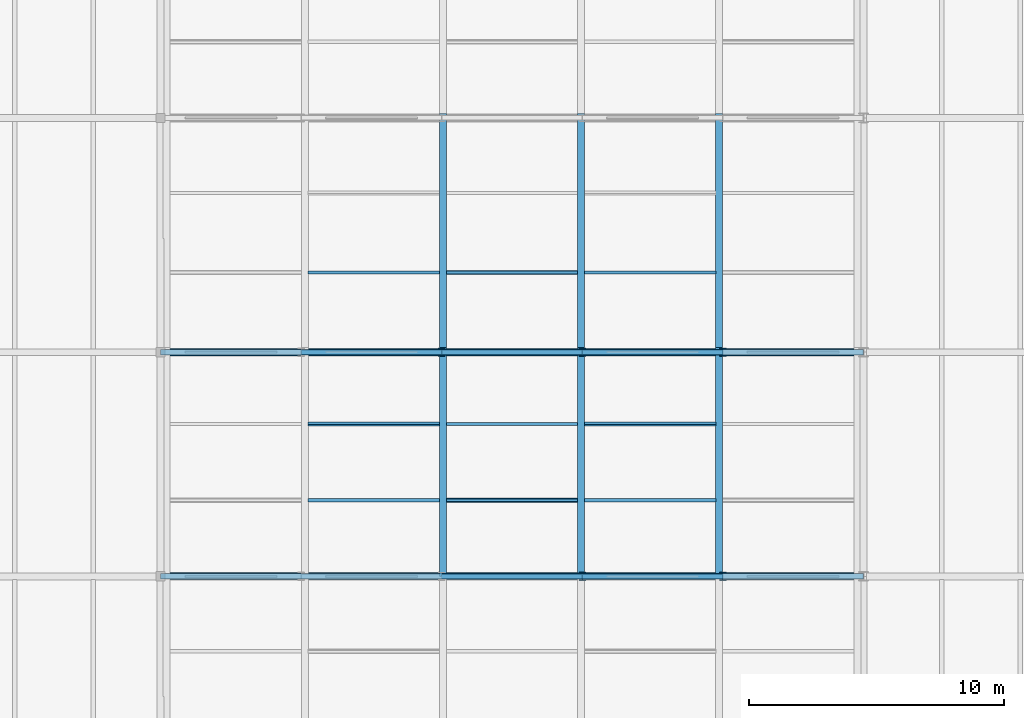
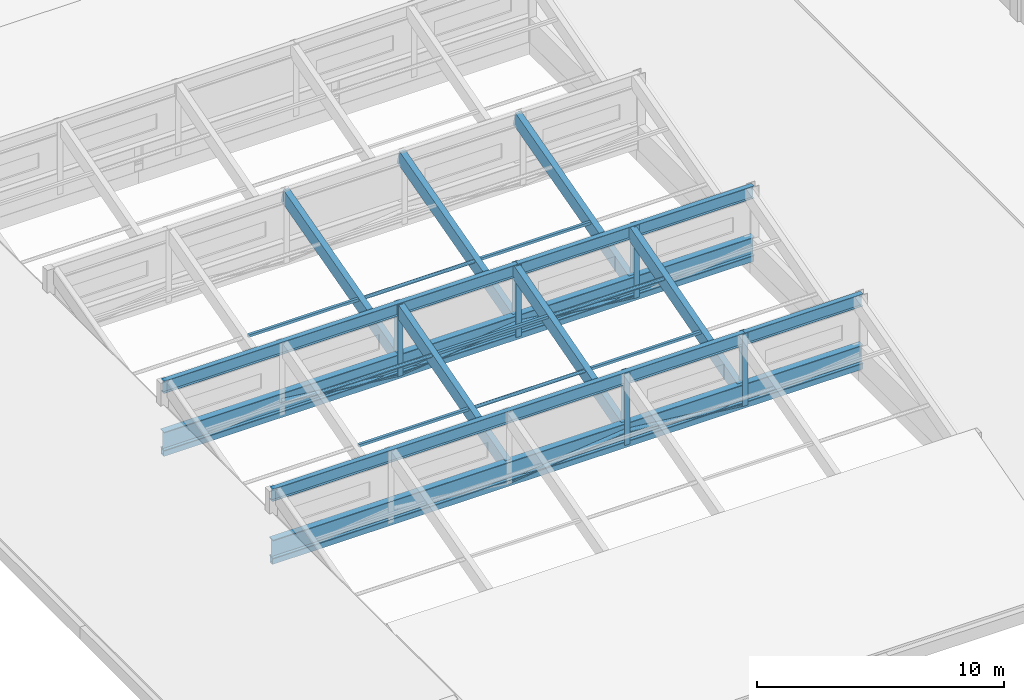
# One storey, part 11 of 77: 21 members, 10 beams.
"""IFC4 building model written with IfcOpenShell, lengths in metres."""

from ifc_helpers import new_model, si_unit, direction, frame, origin, origin_2d, place, context, subcontext, project, spatial, rectangle, hollow_rectangle, hollow_circle, i_section, extrude, material, material_profile, profile_set, type_object, element, save


model = new_model("IFC4")

# Units and contexts
model_context = context("Model", 3, precision=1e-05, world=origin(), true_north=direction((0.0, 1.0)))
body_context = subcontext(model_context, "Body", "Model", "MODEL_VIEW")
ifc_project = project(units=[si_unit("LENGTHUNIT", "METRE"), si_unit("AREAUNIT", "SQUARE_METRE"), si_unit("VOLUMEUNIT", "CUBIC_METRE"), si_unit("PLANEANGLEUNIT", "RADIAN"), si_unit("MASSUNIT", "GRAM", prefix="KILO")], contexts=[model_context])

# Site, building, storey
site_placement = place(None, origin())
site = spatial("IfcSite", under=ifc_project, at=site_placement, CompositionType="ELEMENT")
building_placement = place(site_placement, origin())
building = spatial("IfcBuilding", under=site, at=building_placement, Name="Meriwether Solvik Hall", CompositionType="ELEMENT")
storey_placement = place(building_placement, frame((0.0, 0.0, 9.89990234375)))
storey = spatial("IfcBuildingStorey", under=building, at=storey_placement, Name="L02", CompositionType="ELEMENT", Elevation=9.89990234375)

# Beams
ifc_material_1 = material(Name="Glulam Douglas-Fir 24F-V8 GL28h", Category="wood")
ifc_material_profile_1 = material_profile(ifc_material_1, rectangle(XDim=0.27294921875, YDim=0.68505859375, at=origin_2d()), Name="GLB-273X685")
ifc_profile_set_1 = profile_set([ifc_material_profile_1], Name="Glulam Douglas-Fir 24F-V8 GL28h")
beam_type_1 = type_object("IfcBeamType", Name="BM-GL-273X685", PredefinedType="BEAM", material=ifc_profile_set_1)
for number, where, z_axis, x_axis, name in (
    (1, (25.087890625, 23.293701171875, 0.895751953125), (0.0, 0.961933763025, 0.273282702624), (-1.0, 0.0, 0.0), "Sanctuary Sawtooth Rafter 2.3"),
    (2, (30.511962890625, 23.293701171875, 0.895751953125), (0.0, 0.961933763025, 0.273282702624), (-1.0, 0.0, 0.0), "Sanctuary Sawtooth Rafter 2.4"),
    (3, (35.93603515625, 23.293701171875, 0.895751953125), (0.0, 0.961933763025, 0.273282702624), (-1.0, 0.0, 0.0), "Sanctuary Sawtooth Rafter 2.5"),
):
    element("IfcBeam", number, at=place(storey_placement, frame(where, z_axis=z_axis, x_axis=x_axis)), inside=storey, type_object=beam_type_1, Name=name, PredefinedType="BEAM", context=body_context, shape_type="SweptSolid", body=[
        extrude(rectangle(XDim=0.27294921875, YDim=0.68505859375, at=origin_2d()), origin(), (0.0, 0.0, 1.0), 9.14794921875),
    ])
for number, where, z_axis, x_axis, name in (
    (4, (25.087890625, 32.08984375, 0.89453125), (0.0, 0.965005119019, 0.262231043674), (-1.0, 0.0, 0.0), "Sanctuary Sawtooth Rafter 3.3"),
    (5, (30.511962890625, 32.08984375, 0.89453125), (0.0, 0.965005119019, 0.262231043674), (-1.0, 0.0, 0.0), "Sanctuary Sawtooth Rafter 3.4"),
    (6, (35.93603515625, 32.08984375, 0.89453125), (0.0, 0.965005119019, 0.262231043674), (-1.0, 0.0, 0.0), "Sanctuary Sawtooth Rafter 3.5"),
):
    element("IfcBeam", number, at=place(storey_placement, frame(where, z_axis=z_axis, x_axis=x_axis)), inside=storey, type_object=beam_type_1, Name=name, PredefinedType="BEAM", context=body_context, shape_type="SweptSolid", body=[
        extrude(rectangle(XDim=0.27294921875, YDim=0.68505859375, at=origin_2d()), origin(), (0.0, 0.0, 1.0), 9.53369140625),
    ])
ifc_material_2 = material(Name="Steel A992 Grade 50", Category="steel")
ifc_material_profile_2 = material_profile(ifc_material_2, i_section(OverallWidth=0.22900390625, OverallDepth=0.612060546875, WebThickness=0.011962890625, FlangeThickness=0.01953125, at=origin_2d()), Name="W24X84")
ifc_profile_set_2 = profile_set([ifc_material_profile_2], Name="Steel A992 Grade 50")
beam_type_2 = type_object("IfcBeamType", Name="BM-STL-W24X84", PredefinedType="BEAM", material=ifc_profile_set_2)
for number, where, z_axis, x_axis, name in (
    (7, (14.0, 23.199951171875, 3.419189453125), (1.0, 0.0, 0.0), (0.0, 1.0, 0.0), "Sanctuary Sawtooth Ridge Girder T2 (C)"),
    (8, (14.0, 32.0, 3.419189453125), (1.0, 0.0, 0.0), (0.0, 1.0, 0.0), "Sanctuary Sawtooth Ridge Girder T3 (D)"),
):
    element("IfcBeam", number, at=place(storey_placement, frame(where, z_axis=z_axis, x_axis=x_axis)), inside=storey, type_object=beam_type_2, Name=name, PredefinedType="BEAM", context=body_context, shape_type="SweptSolid", body=[
        extrude(i_section(OverallWidth=0.22900390625, OverallDepth=0.612060546875, WebThickness=0.011962890625, FlangeThickness=0.01953125, at=origin_2d()), origin(), (0.0, 0.0, 1.0), 27.60009765625),
    ])
ifc_material_3 = material(Name="Steel A992 Grade 50", Category="steel")
ifc_material_profile_3 = material_profile(ifc_material_3, i_section(OverallWidth=0.304931640625, OverallDepth=0.9189453125, WebThickness=0.017333984375, FlangeThickness=0.02783203125, at=origin_2d()), Name="W36X170")
ifc_profile_set_3 = profile_set([ifc_material_profile_3], Name="Steel A992 Grade 50")
beam_type_3 = type_object("IfcBeamType", Name="BM-STL-W36X170", PredefinedType="BEAM", material=ifc_profile_set_3)
for number, where, z_axis, x_axis, name in (
    (9, (14.0, 23.199951171875, 0.765625), (1.0, 0.0, 0.0), (0.0, 1.0, 0.0), "Sanctuary Roof Truss T2 (C) Top Girder"),
    (10, (14.0, 32.0, 0.765625), (1.0, 0.0, 0.0), (0.0, 1.0, 0.0), "Sanctuary Roof Truss T3 (D) Top Girder"),
):
    element("IfcBeam", number, at=place(storey_placement, frame(where, z_axis=z_axis, x_axis=x_axis)), inside=storey, type_object=beam_type_3, Name=name, PredefinedType="BEAM", context=body_context, shape_type="SweptSolid", body=[
        extrude(i_section(OverallWidth=0.304931640625, OverallDepth=0.9189453125, WebThickness=0.017333984375, FlangeThickness=0.02783203125, at=origin_2d()), origin(), (0.0, 0.0, 1.0), 27.60009765625),
    ])

# Members
ifc_material_4 = material(Name="Steel A500 Grade C", Category="steel")
ifc_material_profile_4 = material_profile(ifc_material_4, hollow_circle(Radius=0.109619140625, WallThickness=0.009521484375, at=origin_2d()), Name="CHS219X9.5")
ifc_profile_set_4 = profile_set([ifc_material_profile_4], Name="Steel A500 Grade C")
member_type_1 = type_object("IfcMemberType", Name="MEM-BR-CHS219", PredefinedType="BRACE", material=ifc_profile_set_4)
for number, where, z_axis, x_axis, name in (
    (11, (25.0400390625, 23.199951171875, 0.150146484375), (0.993841313907, 0.0, 0.110812647163), (0.0, 1.0, 0.0), "Sanctuary Truss T2 Diagonal 3"),
    (12, (30.56005859375, 23.199951171875, 0.765625), (0.993841313907, 0.0, -0.110812647163), (0.0, 1.0, 0.0), "Sanctuary Truss T2 Diagonal 4"),
    (13, (19.52001953125, 32.0, 0.765625), (0.993841313907, 0.0, -0.110812647163), (0.0, 1.0, 0.0), "Sanctuary Truss T3 Diagonal 2"),
    (14, (25.0400390625, 32.0, 0.150146484375), (0.993841313907, 0.0, 0.110812647163), (0.0, 1.0, 0.0), "Sanctuary Truss T3 Diagonal 3"),
    (15, (30.56005859375, 32.0, 0.765625), (0.993841313907, 0.0, -0.110812647163), (0.0, 1.0, 0.0), "Sanctuary Truss T3 Diagonal 4"),
):
    element("IfcMember", number, at=place(storey_placement, frame(where, z_axis=z_axis, x_axis=x_axis)), inside=storey, type_object=member_type_1, Name=name, PredefinedType="BRACE", context=body_context, shape_type="SweptSolid", body=[
        extrude(hollow_circle(Radius=0.109619140625, WallThickness=0.009521484375, at=origin_2d()), origin(), (0.0, 0.0, 1.0), 5.55419921875),
    ])
ifc_material_5 = material(Name="Steel A500 Grade C", Category="steel")
ifc_material_profile_5 = material_profile(ifc_material_5, hollow_rectangle(XDim=0.202880859375, YDim=0.304931640625, WallThickness=0.0126953125, at=origin_2d()), Name="HSS305X203X12.7")
ifc_profile_set_5 = profile_set([ifc_material_profile_5], Name="Steel A500 Grade C")
member_type_2 = type_object("IfcMemberType", Name="MEM-CHORD-HSS305", PredefinedType="CHORD", material=ifc_profile_set_5)
for number, where, z_axis, x_axis, name in (
    (16, (14.0, 23.199951171875, 0.150146484375), (1.0, 0.0, 0.0), (0.0, 1.0, 0.0), "Sanctuary Roof Truss T2 (C) Bottom Chord"),
    (17, (14.0, 32.0, 0.150146484375), (1.0, 0.0, 0.0), (0.0, 1.0, 0.0), "Sanctuary Roof Truss T3 (D) Bottom Chord"),
):
    element("IfcMember", number, at=place(storey_placement, frame(where, z_axis=z_axis, x_axis=x_axis)), inside=storey, type_object=member_type_2, Name=name, PredefinedType="CHORD", context=body_context, shape_type="SweptSolid", body=[
        extrude(hollow_rectangle(XDim=0.202880859375, YDim=0.304931640625, WallThickness=0.0126953125, at=origin_2d()), origin(), (0.0, 0.0, 1.0), 27.60009765625),
    ])
ifc_material_6 = material(Name="Steel A992 Grade 50", Category="steel")
ifc_material_profile_6 = material_profile(ifc_material_6, i_section(OverallWidth=0.25390625, OverallDepth=0.305908203125, WebThickness=0.0087890625, FlangeThickness=0.0146484375, at=origin_2d()), Name="W12X53")
ifc_profile_set_6 = profile_set([ifc_material_profile_6], Name="Steel A992 Grade 50")
member_type_3 = type_object("IfcMemberType", Name="MEM-CHORD-W12X53", PredefinedType="CHORD", material=ifc_profile_set_6)
for number, where, z_axis, x_axis, name in (
    (18, (30.56005859375, 23.199951171875, 0.150146484375), (0.0, 0.0, 1.0), (1.0, 0.0, 0.0), "Sanctuary Truss T2 Post 3"),
    (19, (36.080078125, 23.199951171875, 0.150146484375), (0.0, 0.0, 1.0), (1.0, 0.0, 0.0), "Sanctuary Truss T2 Post 4"),
    (20, (25.0400390625, 32.0, 0.150146484375), (0.0, 0.0, 1.0), (1.0, 0.0, 0.0), "Sanctuary Truss T3 Post 2"),
    (21, (30.56005859375, 32.0, 0.150146484375), (0.0, 0.0, 1.0), (1.0, 0.0, 0.0), "Sanctuary Truss T3 Post 3"),
    (22, (36.080078125, 32.0, 0.150146484375), (0.0, 0.0, 1.0), (1.0, 0.0, 0.0), "Sanctuary Truss T3 Post 4"),
):
    element("IfcMember", number, at=place(storey_placement, frame(where, z_axis=z_axis, x_axis=x_axis)), inside=storey, type_object=member_type_3, Name=name, PredefinedType="CHORD", context=body_context, shape_type="SweptSolid", body=[
        extrude(i_section(OverallWidth=0.25390625, OverallDepth=0.305908203125, WebThickness=0.0087890625, FlangeThickness=0.0146484375, at=origin_2d()), origin(), (0.0, 0.0, 1.0), 3.574951171875),
    ])
ifc_material_7 = material(Name="Steel A500 Grade C", Category="steel")
ifc_material_profile_7 = material_profile(ifc_material_7, hollow_circle(Radius=0.084228515625, WallThickness=0.0078125, at=origin_2d()), Name="CHS168X7.9")
ifc_profile_set_7 = profile_set([ifc_material_profile_7], Name="Steel A500 Grade C")
member_type_4 = type_object("IfcMemberType", Name="MEM-PRL-CHS168", PredefinedType="PURLIN", material=ifc_profile_set_7)
member_1_placement = place(storey_placement, frame((19.7958984375, 29.18408203125, 2.81884765625), z_axis=(1.0, 0.0, 0.0), x_axis=(0.0, 1.0, 0.0)))
element("IfcMember", 23, at=member_1_placement, inside=storey, type_object=member_type_4, Name="Sanctuary Sawtooth Purlin 2.2.2", PredefinedType="PURLIN", context=body_context, shape_type="SweptSolid", body=[
    extrude(hollow_circle(Radius=0.084228515625, WallThickness=0.0078125, at=origin_2d()), origin(), (0.0, 0.0, 1.0), 5.16015625),
])
for number, where, z_axis, x_axis, name in (
    (24, (25.219970703125, 26.19189453125, 1.968994140625), (1.0, 0.0, 0.0), (0.0, 1.0, 0.0), "Sanctuary Sawtooth Purlin 2.3.1"),
    (25, (30.64404296875, 29.18408203125, 2.81884765625), (1.0, 0.0, 0.0), (0.0, 1.0, 0.0), "Sanctuary Sawtooth Purlin 2.4.2"),
    (26, (25.219970703125, 35.1279296875, 1.968994140625), (1.0, 0.0, 0.0), (0.0, 1.0, 0.0), "Sanctuary Sawtooth Purlin 3.3.1"),
):
    element("IfcMember", number, at=place(storey_placement, frame(where, z_axis=z_axis, x_axis=x_axis)), inside=storey, type_object=member_type_4, Name=name, PredefinedType="PURLIN", context=body_context, shape_type="SweptSolid", body=[
        extrude(hollow_circle(Radius=0.084228515625, WallThickness=0.0078125, at=origin_2d()), origin(), (0.0, 0.0, 1.0), 5.159912109375),
    ])
ifc_material_8 = material(Name="Steel A500 Grade C", Category="steel")
ifc_material_profile_8 = material_profile(ifc_material_8, hollow_rectangle(XDim=0.126953125, YDim=0.126953125, WallThickness=0.0078125, at=origin_2d()), Name="HSS127X127X7.9")
ifc_profile_set_8 = profile_set([ifc_material_profile_8], Name="Steel A500 Grade C")
member_type_5 = type_object("IfcMemberType", Name="MEM-PRL-HSS127", PredefinedType="PURLIN", material=ifc_profile_set_8)
member_2_placement = place(storey_placement, frame((19.7958984375, 26.19189453125, 1.989501953125), z_axis=(1.0, 0.0, 0.0), x_axis=(0.0, 1.0, 0.0)))
element("IfcMember", 27, at=member_2_placement, inside=storey, type_object=member_type_5, Name="Sanctuary Sawtooth Purlin 2.2.1", PredefinedType="PURLIN", context=body_context, shape_type="SweptSolid", body=[
    extrude(hollow_rectangle(XDim=0.126953125, YDim=0.126953125, WallThickness=0.0078125, at=origin_2d()), origin(), (0.0, 0.0, 1.0), 5.16015625),
])
for number, where, z_axis, x_axis, name in (
    (28, (25.219970703125, 29.18408203125, 2.839599609375), (1.0, 0.0, 0.0), (0.0, 1.0, 0.0), "Sanctuary Sawtooth Purlin 2.3.2"),
    (29, (30.64404296875, 26.19189453125, 1.989501953125), (1.0, 0.0, 0.0), (0.0, 1.0, 0.0), "Sanctuary Sawtooth Purlin 2.4.1"),
):
    element("IfcMember", number, at=place(storey_placement, frame(where, z_axis=z_axis, x_axis=x_axis)), inside=storey, type_object=member_type_5, Name=name, PredefinedType="PURLIN", context=body_context, shape_type="SweptSolid", body=[
        extrude(hollow_rectangle(XDim=0.126953125, YDim=0.126953125, WallThickness=0.0078125, at=origin_2d()), origin(), (0.0, 0.0, 1.0), 5.159912109375),
    ])
member_3_placement = place(storey_placement, frame((19.7958984375, 35.1279296875, 1.989501953125), z_axis=(1.0, 0.0, 0.0), x_axis=(0.0, 1.0, 0.0)))
element("IfcMember", 30, at=member_3_placement, inside=storey, type_object=member_type_5, Name="Sanctuary Sawtooth Purlin 3.2.1", PredefinedType="PURLIN", context=body_context, shape_type="SweptSolid", body=[
    extrude(hollow_rectangle(XDim=0.126953125, YDim=0.126953125, WallThickness=0.0078125, at=origin_2d()), origin(), (0.0, 0.0, 1.0), 5.16015625),
])
member_4_placement = place(storey_placement, frame((30.64404296875, 35.1279296875, 1.989501953125), z_axis=(1.0, 0.0, 0.0), x_axis=(0.0, 1.0, 0.0)))
element("IfcMember", 31, at=member_4_placement, inside=storey, type_object=member_type_5, Name="Sanctuary Sawtooth Purlin 3.4.1", PredefinedType="PURLIN", context=body_context, shape_type="SweptSolid", body=[
    extrude(hollow_rectangle(XDim=0.126953125, YDim=0.126953125, WallThickness=0.0078125, at=origin_2d()), origin(), (0.0, 0.0, 1.0), 5.159912109375),
])

save(model, "model.ifc")
